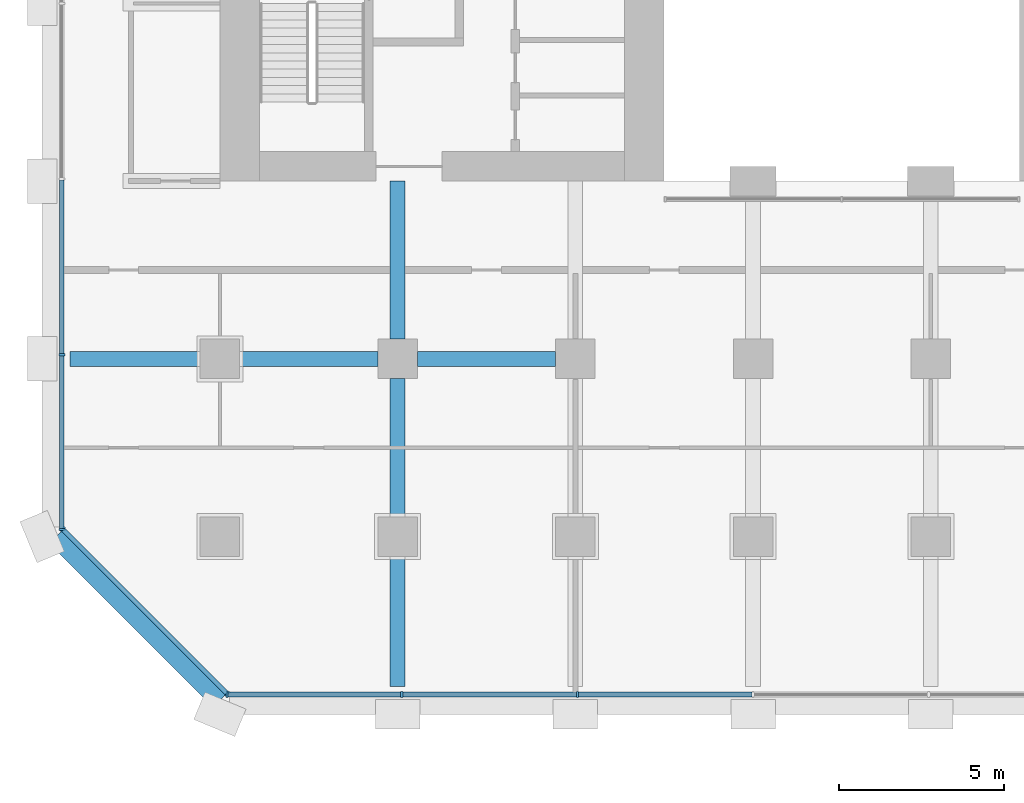
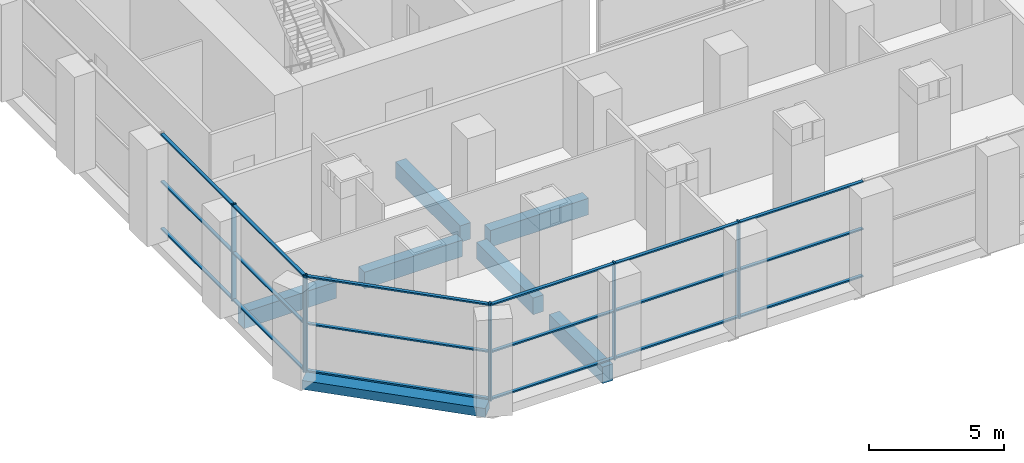
# One storey, part 2 of 42: 25 members, 7 beams, 3 elements without a shape of their own.
"""IFC4 building model written with IfcOpenShell, lengths in metres."""

from ifc_helpers import new_model, si_unit, direction, frame, origin, origin_2d, place, context, subcontext, project, spatial, rectangle, extrude, material, material_profile, profile_set, type_object, element, aggregate, save


model = new_model("IFC4")

# Units and contexts
model_context = context("Model", 3, precision=1e-05, world=origin(), true_north=direction((0.0, 1.0)))
body_context = subcontext(model_context, "Body", "Model", "MODEL_VIEW")
ifc_project = project(units=[si_unit("LENGTHUNIT", "METRE"), si_unit("AREAUNIT", "SQUARE_METRE"), si_unit("VOLUMEUNIT", "CUBIC_METRE"), si_unit("PLANEANGLEUNIT", "RADIAN"), si_unit("MASSUNIT", "GRAM", prefix="KILO")], contexts=[model_context])

# Site, building, storey
site_placement = place(None, origin())
site = spatial("IfcSite", under=ifc_project, at=site_placement, CompositionType="ELEMENT")
building_placement = place(site_placement, origin())
building = spatial("IfcBuilding", under=site, at=building_placement, Name="Tabaq Tower and Sports Hall", CompositionType="ELEMENT")
storey_placement = place(building_placement, frame((0.0, 0.0, 19.800048828125)))
storey = spatial("IfcBuildingStorey", under=building, at=storey_placement, Name="L03", CompositionType="ELEMENT", Elevation=19.800048828125)

# Curtain wall, members
ifc_material_1 = material(Name="Aluminium alloy 6063-T6 framed glazing", Category="aluminium")
curtain_wall_type = type_object("IfcCurtainWallType", Name="CW7 curtain wall", PredefinedType="USERDEFINED", material=ifc_material_1)
curtain_wall_1_placement = place(storey_placement, origin())
curtain_wall_1 = element("IfcCurtainWall", 1, at=curtain_wall_1_placement, inside=storey, type_object=curtain_wall_type, Name="Podium Wall L03 S", ObjectType="PODIUM WALL", PredefinedType="USERDEFINED")
ifc_material_2 = material(Name="Aluminium alloy 6063-T6", Category="aluminium")
ifc_material_profile_1 = material_profile(ifc_material_2, rectangle(XDim=0.179931640625, YDim=0.06494140625, at=origin_2d()), Name="MULLION 180x65")
ifc_profile_set_1 = profile_set([ifc_material_profile_1], Name="Aluminium alloy 6063-T6")
member_type_1 = type_object("IfcMemberType", Name="CW7 mullion 180x65", PredefinedType="MULLION", material=ifc_profile_set_1)
member_1_placement = place(storey_placement, frame((5.618896484375, 0.60009765625, 0.0), z_axis=(0.0, 0.0, 1.0), x_axis=(0.0, 1.0, 0.0)))
member_1 = element("IfcMember", 2, at=member_1_placement, type_object=member_type_1, Name="CW7 mullion 1", PredefinedType="MULLION", context=body_context, shape_type="SweptSolid", body=[
    extrude(rectangle(XDim=0.179931640625, YDim=0.06494140625, at=origin_2d()), origin(), (0.0, 0.0, 1.0), 4.39990234375),
])
member_2_placement = place(storey_placement, frame((10.92431640625, 0.60009765625, 0.0), z_axis=(0.0, 0.0, 1.0), x_axis=(0.0, 1.0, 0.0)))
member_2 = element("IfcMember", 3, at=member_2_placement, type_object=member_type_1, Name="CW7 mullion 2", PredefinedType="MULLION", context=body_context, shape_type="SweptSolid", body=[
    extrude(rectangle(XDim=0.179931640625, YDim=0.06494140625, at=origin_2d()), origin(), (0.0, 0.0, 1.0), 4.39990234375),
])
member_3_placement = place(storey_placement, frame((16.26220703125, 0.60009765625, 0.0), z_axis=(0.0, 0.0, 1.0), x_axis=(0.0, 1.0, 0.0)))
member_3 = element("IfcMember", 4, at=member_3_placement, type_object=member_type_1, Name="CW7 mullion 3", PredefinedType="MULLION", context=body_context, shape_type="SweptSolid", body=[
    extrude(rectangle(XDim=0.179931640625, YDim=0.06494140625, at=origin_2d()), origin(), (0.0, 0.0, 1.0), 4.39990234375),
])

curtain_wall_2_placement = place(storey_placement, origin())
curtain_wall_2 = element("IfcCurtainWall", 5, at=curtain_wall_2_placement, inside=storey, type_object=curtain_wall_type, Name="Podium Wall L03 W", ObjectType="PODIUM WALL", PredefinedType="USERDEFINED")
member_4_placement = place(storey_placement, frame((0.60009765625, 10.92431640625, 0.0), z_axis=(0.0, 0.0, 1.0), x_axis=(1.0, 0.0, 0.0)))
member_4 = element("IfcMember", 6, at=member_4_placement, type_object=member_type_1, Name="CW7 mullion 6", PredefinedType="MULLION", context=body_context, shape_type="SweptSolid", body=[
    extrude(rectangle(XDim=0.179931640625, YDim=0.06494140625, at=origin_2d()), origin(), (0.0, 0.0, 1.0), 4.39990234375),
])
member_5_placement = place(storey_placement, frame((0.60009765625, 5.618896484375, 0.0), z_axis=(0.0, 0.0, 1.0), x_axis=(1.0, 0.0, 0.0)))
member_5 = element("IfcMember", 7, at=member_5_placement, type_object=member_type_1, Name="CW7 mullion 7", PredefinedType="MULLION", context=body_context, shape_type="SweptSolid", body=[
    extrude(rectangle(XDim=0.179931640625, YDim=0.06494140625, at=origin_2d()), origin(), (0.0, 0.0, 1.0), 4.39990234375),
])

curtain_wall_3_placement = place(storey_placement, origin())
curtain_wall_3 = element("IfcCurtainWall", 8, at=curtain_wall_3_placement, inside=storey, type_object=curtain_wall_type, Name="Podium Wall L03 SW", ObjectType="PODIUM WALL", PredefinedType="USERDEFINED")
member_6_placement = place(storey_placement, frame((0.623046875, 5.62548828125, 0.0), z_axis=(0.0, 0.0, 1.0), x_axis=(0.707106781187, 0.707106781187, 0.0)))
member_6 = element("IfcMember", 9, at=member_6_placement, type_object=member_type_1, Name="CW7 mullion 1", PredefinedType="MULLION", context=body_context, shape_type="SweptSolid", body=[
    extrude(rectangle(XDim=0.179931640625, YDim=0.06494140625, at=origin_2d()), origin(), (0.0, 0.0, 1.0), 4.39990234375),
])
member_7_placement = place(storey_placement, frame((5.62548828125, 0.623046875, 0.0), z_axis=(0.0, 0.0, 1.0), x_axis=(0.707106781187, 0.707106781187, 0.0)))
member_7 = element("IfcMember", 10, at=member_7_placement, type_object=member_type_1, Name="CW7 mullion 2", PredefinedType="MULLION", context=body_context, shape_type="SweptSolid", body=[
    extrude(rectangle(XDim=0.179931640625, YDim=0.06494140625, at=origin_2d()), origin(), (0.0, 0.0, 1.0), 4.39990234375),
])

# Member
ifc_material_3 = material(Name="Aluminium alloy 6063-T6", Category="aluminium")
ifc_material_profile_2 = material_profile(ifc_material_3, rectangle(XDim=0.139892578125, YDim=0.06494140625, at=origin_2d()), Name="TRANSOM 140x65")
ifc_profile_set_2 = profile_set([ifc_material_profile_2], Name="Aluminium alloy 6063-T6")
member_type_2 = type_object("IfcMemberType", Name="CW7 transom 140x65", PredefinedType="USERDEFINED", material=ifc_profile_set_2)
member_8_placement = place(storey_placement, frame((5.6513671875, 0.60009765625, 0.070068359375), z_axis=(1.0, 0.0, 0.0), x_axis=(0.0, 1.0, 0.0)))
member_8 = element("IfcMember", 11, at=member_8_placement, type_object=member_type_2, Name="CW7 transom 1.1", ObjectType="TRANSOM", PredefinedType="USERDEFINED", context=body_context, shape_type="SweptSolid", body=[
    extrude(rectangle(XDim=0.139892578125, YDim=0.06494140625, at=origin_2d()), origin(), (0.0, 0.0, 1.0), 5.240478515625),
])

member_9_placement = place(storey_placement, frame((5.6513671875, 0.60009765625, 2.199951171875), z_axis=(1.0, 0.0, 0.0), x_axis=(0.0, 1.0, 0.0)))
member_9 = element("IfcMember", 12, at=member_9_placement, type_object=member_type_2, Name="CW7 transom 1.2", ObjectType="TRANSOM", PredefinedType="USERDEFINED", context=body_context, shape_type="SweptSolid", body=[
    extrude(rectangle(XDim=0.139892578125, YDim=0.06494140625, at=origin_2d()), origin(), (0.0, 0.0, 1.0), 5.240478515625),
])

member_10_placement = place(storey_placement, frame((5.6513671875, 0.60009765625, 4.329833984375), z_axis=(1.0, 0.0, 0.0), x_axis=(0.0, 1.0, 0.0)))
member_10 = element("IfcMember", 13, at=member_10_placement, type_object=member_type_2, Name="CW7 transom 1.3", ObjectType="TRANSOM", PredefinedType="USERDEFINED", context=body_context, shape_type="SweptSolid", body=[
    extrude(rectangle(XDim=0.139892578125, YDim=0.06494140625, at=origin_2d()), origin(), (0.0, 0.0, 1.0), 5.240478515625),
])

member_11_placement = place(storey_placement, frame((10.956787109375, 0.60009765625, 0.070068359375), z_axis=(1.0, 0.0, 0.0), x_axis=(0.0, 1.0, 0.0)))
member_11 = element("IfcMember", 14, at=member_11_placement, type_object=member_type_2, Name="CW7 transom 2.1", ObjectType="TRANSOM", PredefinedType="USERDEFINED", context=body_context, shape_type="SweptSolid", body=[
    extrude(rectangle(XDim=0.139892578125, YDim=0.06494140625, at=origin_2d()), origin(), (0.0, 0.0, 1.0), 5.27294921875),
])

member_12_placement = place(storey_placement, frame((10.956787109375, 0.60009765625, 2.199951171875), z_axis=(1.0, 0.0, 0.0), x_axis=(0.0, 1.0, 0.0)))
member_12 = element("IfcMember", 15, at=member_12_placement, type_object=member_type_2, Name="CW7 transom 2.2", ObjectType="TRANSOM", PredefinedType="USERDEFINED", context=body_context, shape_type="SweptSolid", body=[
    extrude(rectangle(XDim=0.139892578125, YDim=0.06494140625, at=origin_2d()), origin(), (0.0, 0.0, 1.0), 5.27294921875),
])

member_13_placement = place(storey_placement, frame((10.956787109375, 0.60009765625, 4.329833984375), z_axis=(1.0, 0.0, 0.0), x_axis=(0.0, 1.0, 0.0)))
member_13 = element("IfcMember", 16, at=member_13_placement, type_object=member_type_2, Name="CW7 transom 2.3", ObjectType="TRANSOM", PredefinedType="USERDEFINED", context=body_context, shape_type="SweptSolid", body=[
    extrude(rectangle(XDim=0.139892578125, YDim=0.06494140625, at=origin_2d()), origin(), (0.0, 0.0, 1.0), 5.27294921875),
])

member_14_placement = place(storey_placement, frame((16.294677734375, 0.60009765625, 0.070068359375), z_axis=(1.0, 0.0, 0.0), x_axis=(0.0, 1.0, 0.0)))
member_14 = element("IfcMember", 17, at=member_14_placement, type_object=member_type_2, Name="CW7 transom 3.1", ObjectType="TRANSOM", PredefinedType="USERDEFINED", context=body_context, shape_type="SweptSolid", body=[
    extrude(rectangle(XDim=0.139892578125, YDim=0.06494140625, at=origin_2d()), origin(), (0.0, 0.0, 1.0), 5.272705078125),
])

member_15_placement = place(storey_placement, frame((16.294677734375, 0.60009765625, 2.199951171875), z_axis=(1.0, 0.0, 0.0), x_axis=(0.0, 1.0, 0.0)))
member_15 = element("IfcMember", 18, at=member_15_placement, type_object=member_type_2, Name="CW7 transom 3.2", ObjectType="TRANSOM", PredefinedType="USERDEFINED", context=body_context, shape_type="SweptSolid", body=[
    extrude(rectangle(XDim=0.139892578125, YDim=0.06494140625, at=origin_2d()), origin(), (0.0, 0.0, 1.0), 5.272705078125),
])

member_16_placement = place(storey_placement, frame((16.294677734375, 0.60009765625, 4.329833984375), z_axis=(1.0, 0.0, 0.0), x_axis=(0.0, 1.0, 0.0)))
member_16 = element("IfcMember", 19, at=member_16_placement, type_object=member_type_2, Name="CW7 transom 3.3", ObjectType="TRANSOM", PredefinedType="USERDEFINED", context=body_context, shape_type="SweptSolid", body=[
    extrude(rectangle(XDim=0.139892578125, YDim=0.06494140625, at=origin_2d()), origin(), (0.0, 0.0, 1.0), 5.272705078125),
])

aggregate(curtain_wall_1, [member_1, member_2, member_3, member_8, member_9, member_10, member_11, member_12, member_13, member_14, member_15, member_16])

member_17_placement = place(storey_placement, frame((0.60009765625, 16.229736328125, 0.070068359375), z_axis=(0.0, -1.0, 0.0), x_axis=(1.0, 0.0, 0.0)))
member_17 = element("IfcMember", 20, at=member_17_placement, type_object=member_type_2, Name="CW7 transom 5.1", ObjectType="TRANSOM", PredefinedType="USERDEFINED", context=body_context, shape_type="SweptSolid", body=[
    extrude(rectangle(XDim=0.139892578125, YDim=0.06494140625, at=origin_2d()), origin(), (0.0, 0.0, 1.0), 5.27294921875),
])

member_18_placement = place(storey_placement, frame((0.60009765625, 16.229736328125, 2.199951171875), z_axis=(0.0, -1.0, 0.0), x_axis=(1.0, 0.0, 0.0)))
member_18 = element("IfcMember", 21, at=member_18_placement, type_object=member_type_2, Name="CW7 transom 5.2", ObjectType="TRANSOM", PredefinedType="USERDEFINED", context=body_context, shape_type="SweptSolid", body=[
    extrude(rectangle(XDim=0.139892578125, YDim=0.06494140625, at=origin_2d()), origin(), (0.0, 0.0, 1.0), 5.27294921875),
])

member_19_placement = place(storey_placement, frame((0.60009765625, 16.229736328125, 4.329833984375), z_axis=(0.0, -1.0, 0.0), x_axis=(1.0, 0.0, 0.0)))
member_19 = element("IfcMember", 22, at=member_19_placement, type_object=member_type_2, Name="CW7 transom 5.3", ObjectType="TRANSOM", PredefinedType="USERDEFINED", context=body_context, shape_type="SweptSolid", body=[
    extrude(rectangle(XDim=0.139892578125, YDim=0.06494140625, at=origin_2d()), origin(), (0.0, 0.0, 1.0), 5.27294921875),
])

member_20_placement = place(storey_placement, frame((0.60009765625, 10.891845703125, 0.070068359375), z_axis=(0.0, -1.0, 0.0), x_axis=(1.0, 0.0, 0.0)))
member_20 = element("IfcMember", 23, at=member_20_placement, type_object=member_type_2, Name="CW7 transom 6.1", ObjectType="TRANSOM", PredefinedType="USERDEFINED", context=body_context, shape_type="SweptSolid", body=[
    extrude(rectangle(XDim=0.139892578125, YDim=0.06494140625, at=origin_2d()), origin(), (0.0, 0.0, 1.0), 5.240478515625),
])

member_21_placement = place(storey_placement, frame((0.60009765625, 10.891845703125, 2.199951171875), z_axis=(0.0, -1.0, 0.0), x_axis=(1.0, 0.0, 0.0)))
member_21 = element("IfcMember", 24, at=member_21_placement, type_object=member_type_2, Name="CW7 transom 6.2", ObjectType="TRANSOM", PredefinedType="USERDEFINED", context=body_context, shape_type="SweptSolid", body=[
    extrude(rectangle(XDim=0.139892578125, YDim=0.06494140625, at=origin_2d()), origin(), (0.0, 0.0, 1.0), 5.240478515625),
])

member_22_placement = place(storey_placement, frame((0.60009765625, 10.891845703125, 4.329833984375), z_axis=(0.0, -1.0, 0.0), x_axis=(1.0, 0.0, 0.0)))
member_22 = element("IfcMember", 25, at=member_22_placement, type_object=member_type_2, Name="CW7 transom 6.3", ObjectType="TRANSOM", PredefinedType="USERDEFINED", context=body_context, shape_type="SweptSolid", body=[
    extrude(rectangle(XDim=0.139892578125, YDim=0.06494140625, at=origin_2d()), origin(), (0.0, 0.0, 1.0), 5.240478515625),
])

aggregate(curtain_wall_2, [member_4, member_5, member_17, member_18, member_19, member_20, member_21, member_22])

member_23_placement = place(storey_placement, frame((0.64599609375, 5.6025390625, 0.070068359375), z_axis=(0.707106781187, -0.707106781187, 0.0), x_axis=(0.707106781187, 0.707106781187, 0.0)))
member_23 = element("IfcMember", 26, at=member_23_placement, type_object=member_type_2, Name="CW7 transom 1.1", ObjectType="TRANSOM", PredefinedType="USERDEFINED", context=body_context, shape_type="SweptSolid", body=[
    extrude(rectangle(XDim=0.139892578125, YDim=0.06494140625, at=origin_2d()), origin(), (0.0, 0.0, 1.0), 7.009521484375),
])

member_24_placement = place(storey_placement, frame((0.64599609375, 5.6025390625, 2.199951171875), z_axis=(0.707106781187, -0.707106781187, 0.0), x_axis=(0.707106781187, 0.707106781187, 0.0)))
member_24 = element("IfcMember", 27, at=member_24_placement, type_object=member_type_2, Name="CW7 transom 1.2", ObjectType="TRANSOM", PredefinedType="USERDEFINED", context=body_context, shape_type="SweptSolid", body=[
    extrude(rectangle(XDim=0.139892578125, YDim=0.06494140625, at=origin_2d()), origin(), (0.0, 0.0, 1.0), 7.009521484375),
])

member_25_placement = place(storey_placement, frame((0.64599609375, 5.6025390625, 4.329833984375), z_axis=(0.707106781187, -0.707106781187, 0.0), x_axis=(0.707106781187, 0.707106781187, 0.0)))
member_25 = element("IfcMember", 28, at=member_25_placement, type_object=member_type_2, Name="CW7 transom 1.3", ObjectType="TRANSOM", PredefinedType="USERDEFINED", context=body_context, shape_type="SweptSolid", body=[
    extrude(rectangle(XDim=0.139892578125, YDim=0.06494140625, at=origin_2d()), origin(), (0.0, 0.0, 1.0), 7.009521484375),
])

aggregate(curtain_wall_3, [member_6, member_7, member_23, member_24, member_25])

# Beams
ifc_material_4 = material(Name="Concrete C40/50", Category="concrete")
ifc_material_profile_3 = material_profile(ifc_material_4, rectangle(XDim=0.449951171875, YDim=0.75, at=origin_2d()), Name="CB 450x750")
ifc_profile_set_3 = profile_set([ifc_material_profile_3], Name="Concrete C40/50")
beam_type_1 = type_object("IfcBeamType", Name="PT CANTILEVER BEAM CB 450x750 C40/50", PredefinedType="BEAM", material=ifc_profile_set_3)
beam_1_placement = place(storey_placement, frame((0.85009765625, 10.800048828125, -0.775146484375), z_axis=(1.0, 0.0, 0.0), x_axis=(0.0, 1.0, 0.0)))
element("IfcBeam", 29, at=beam_1_placement, inside=storey, type_object=beam_type_1, Name="Cantilever Beam L03 W2 span 1", PredefinedType="BEAM", context=body_context, shape_type="SweptSolid", body=[
    extrude(rectangle(XDim=0.449951171875, YDim=0.75, at=origin_2d()), origin(), (0.0, 0.0, 1.0), 3.949951171875),
])
beam_2_placement = place(storey_placement, frame((6.0, 10.800048828125, -0.775146484375), z_axis=(1.0, 0.0, 0.0), x_axis=(0.0, 1.0, 0.0)))
element("IfcBeam", 30, at=beam_2_placement, inside=storey, type_object=beam_type_1, Name="Cantilever Beam L03 W2 span 2", PredefinedType="BEAM", context=body_context, shape_type="SweptSolid", body=[
    extrude(rectangle(XDim=0.449951171875, YDim=0.75, at=origin_2d()), origin(), (0.0, 0.0, 1.0), 4.199951171875),
])
beam_3_placement = place(storey_placement, frame((11.39990234375, 10.800048828125, -0.775146484375), z_axis=(1.0, 0.0, 0.0), x_axis=(0.0, 1.0, 0.0)))
element("IfcBeam", 31, at=beam_3_placement, inside=storey, type_object=beam_type_1, Name="Cantilever Beam L03 W2 span 3", PredefinedType="BEAM", context=body_context, shape_type="SweptSolid", body=[
    extrude(rectangle(XDim=0.449951171875, YDim=0.75, at=origin_2d()), origin(), (0.0, 0.0, 1.0), 4.2001953125),
])
beam_4_placement = place(storey_placement, frame((10.800048828125, 0.85009765625, -0.775146484375), z_axis=(0.0, 1.0, 0.0), x_axis=(-1.0, 0.0, 0.0)))
element("IfcBeam", 32, at=beam_4_placement, inside=storey, type_object=beam_type_1, Name="Cantilever Beam L03 S2 span 1", PredefinedType="BEAM", context=body_context, shape_type="SweptSolid", body=[
    extrude(rectangle(XDim=0.449951171875, YDim=0.75, at=origin_2d()), origin(), (0.0, 0.0, 1.0), 3.949951171875),
])
beam_5_placement = place(storey_placement, frame((10.800048828125, 6.0, -0.775146484375), z_axis=(0.0, 1.0, 0.0), x_axis=(-1.0, 0.0, 0.0)))
element("IfcBeam", 33, at=beam_5_placement, inside=storey, type_object=beam_type_1, Name="Cantilever Beam L03 S2 span 2", PredefinedType="BEAM", context=body_context, shape_type="SweptSolid", body=[
    extrude(rectangle(XDim=0.449951171875, YDim=0.75, at=origin_2d()), origin(), (0.0, 0.0, 1.0), 4.199951171875),
])
beam_6_placement = place(storey_placement, frame((10.800048828125, 11.39990234375, -0.775146484375), z_axis=(0.0, 1.0, 0.0), x_axis=(-1.0, 0.0, 0.0)))
element("IfcBeam", 34, at=beam_6_placement, inside=storey, type_object=beam_type_1, Name="Cantilever Beam L03 S2 span 3", PredefinedType="BEAM", context=body_context, shape_type="SweptSolid", body=[
    extrude(rectangle(XDim=0.449951171875, YDim=0.75, at=origin_2d()), origin(), (0.0, 0.0, 1.0), 4.800048828125),
])
ifc_material_5 = material(Name="Concrete C40/50", Category="concrete")
ifc_material_profile_4 = material_profile(ifc_material_5, rectangle(XDim=0.60009765625, YDim=0.39990234375, at=origin_2d()), Name="EB 600x400")
ifc_profile_set_4 = profile_set([ifc_material_profile_4], Name="Concrete C40/50")
beam_type_2 = type_object("IfcBeamType", Name="PT EDGE BEAM EB 600x400 C40/50", PredefinedType="SPANDREL", material=ifc_profile_set_4)
beam_7_placement = place(storey_placement, frame((0.42333984375, 5.401123046875, -0.199951171875), z_axis=(0.707106781187, -0.707106781187, 0.0), x_axis=(0.707106781187, 0.707106781187, 0.0)))
element("IfcBeam", 35, at=beam_7_placement, inside=storey, type_object=beam_type_2, Name="Edge Beam L03 5", PredefinedType="SPANDREL", context=body_context, shape_type="SweptSolid", body=[
    extrude(rectangle(XDim=0.60009765625, YDim=0.39990234375, at=origin_2d()), origin(), (0.0, 0.0, 1.0), 7.03955078125),
])

save(model, "model.ifc")
